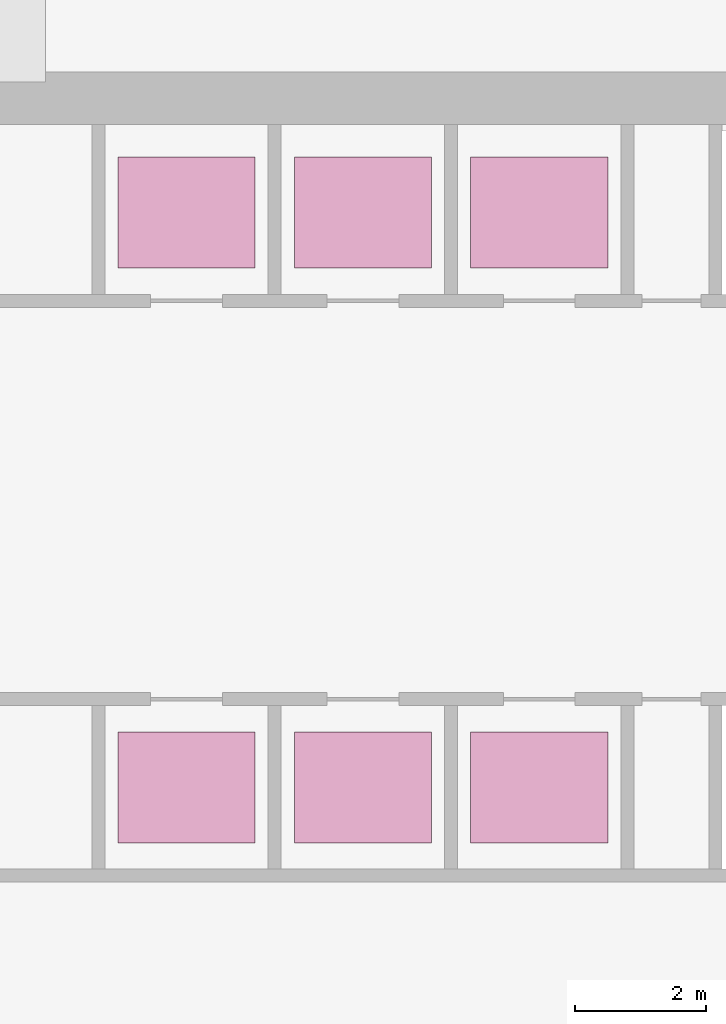
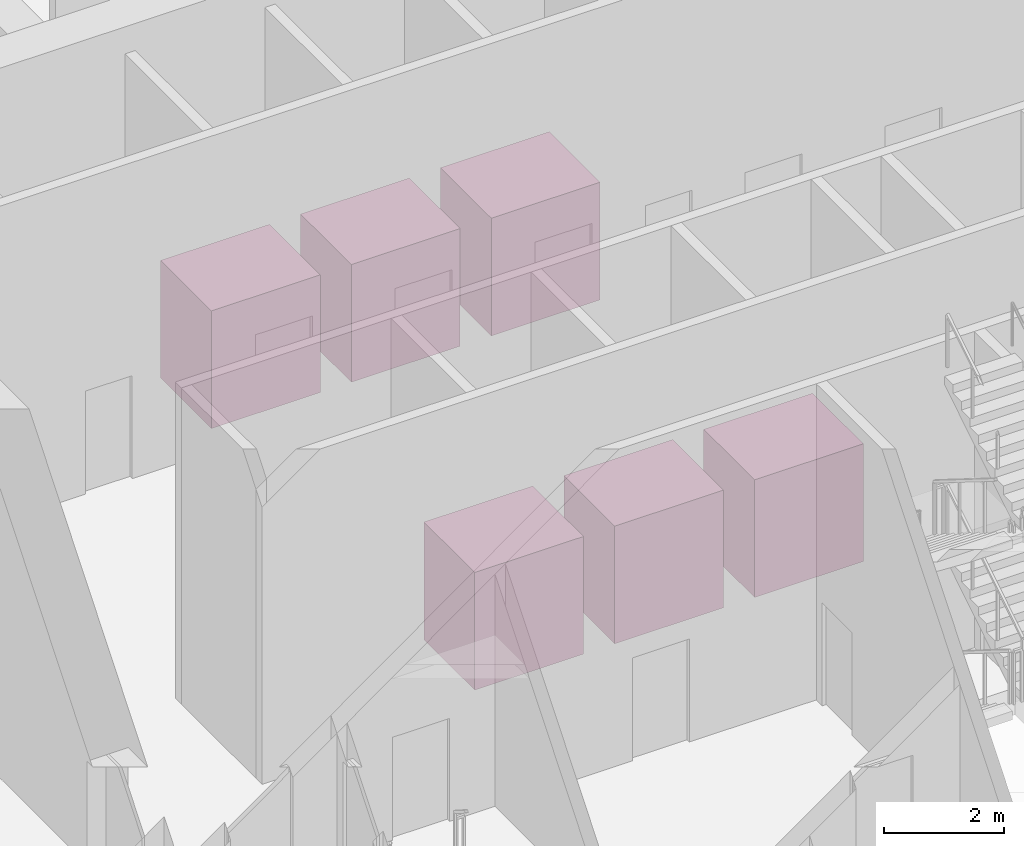
# One storey, part 33 of 33: 6 transport elements.
"""IFC4 building model written with IfcOpenShell, lengths in metres."""

from ifc_helpers import new_model, si_unit, direction, frame, origin, origin_2d, place, context, subcontext, project, spatial, rectangle, extrude, material, type_object, element, save


model = new_model("IFC4")

# Units and contexts
model_context = context("Model", 3, precision=1e-05, world=origin(), true_north=direction((0.0, 1.0)))
body_context = subcontext(model_context, "Body", "Model", "MODEL_VIEW")
ifc_project = project(units=[si_unit("LENGTHUNIT", "METRE"), si_unit("AREAUNIT", "SQUARE_METRE"), si_unit("VOLUMEUNIT", "CUBIC_METRE"), si_unit("PLANEANGLEUNIT", "RADIAN"), si_unit("MASSUNIT", "GRAM", prefix="KILO")], contexts=[model_context])

# Site, building, storey
site_placement = place(None, origin())
site = spatial("IfcSite", under=ifc_project, at=site_placement, CompositionType="ELEMENT")
building_placement = place(site_placement, origin())
building = spatial("IfcBuilding", under=site, at=building_placement, Name="Mangrove Gate Tower", CompositionType="ELEMENT")
storey_placement = place(building_placement, frame((0.0, 0.0, 219.5)))
storey = spatial("IfcBuildingStorey", under=building, at=storey_placement, Name="L56", CompositionType="ELEMENT", Elevation=219.5)

# Transport elements
ifc_material = material(Name="Stainless steel 316", Category="steel")
transport_element_type = type_object("IfcTransportElementType", Name="Passenger lift car 2100x1700", PredefinedType="ELEVATOR", material=ifc_material)
for number, where, z_axis, x_axis, name in (
    (1, (-5.39990234375, 0.64990234375, 0.0), (0.0, 0.0, 1.0), (1.0, 0.0, 0.0), "Passenger lift H01"),
    (2, (-2.699951171875, 0.64990234375, 0.0), (0.0, 0.0, 1.0), (1.0, 0.0, 0.0), "Passenger lift H02"),
    (3, (0.0, 0.64990234375, 0.0), (0.0, 0.0, 1.0), (1.0, 0.0, 0.0), "Passenger lift H03"),
    (4, (-5.39990234375, 9.449951171875, 0.0), (0.0, 0.0, 1.0), (1.0, 0.0, 0.0), "Passenger lift H04"),
    (5, (-2.699951171875, 9.449951171875, 0.0), (0.0, 0.0, 1.0), (1.0, 0.0, 0.0), "Passenger lift H05"),
    (6, (0.0, 9.449951171875, 0.0), (0.0, 0.0, 1.0), (1.0, 0.0, 0.0), "Passenger lift H06"),
):
    element("IfcTransportElement", number, at=place(storey_placement, frame(where, z_axis=z_axis, x_axis=x_axis)), inside=storey, type_object=transport_element_type, Name=name, PredefinedType="ELEVATOR", context=body_context, shape_type="SweptSolid", body=[
        extrude(rectangle(XDim=2.10009765625, YDim=1.699951171875, at=origin_2d()), origin(), (0.0, 0.0, 1.0), 2.39990234375),
    ])

save(model, "model.ifc")
